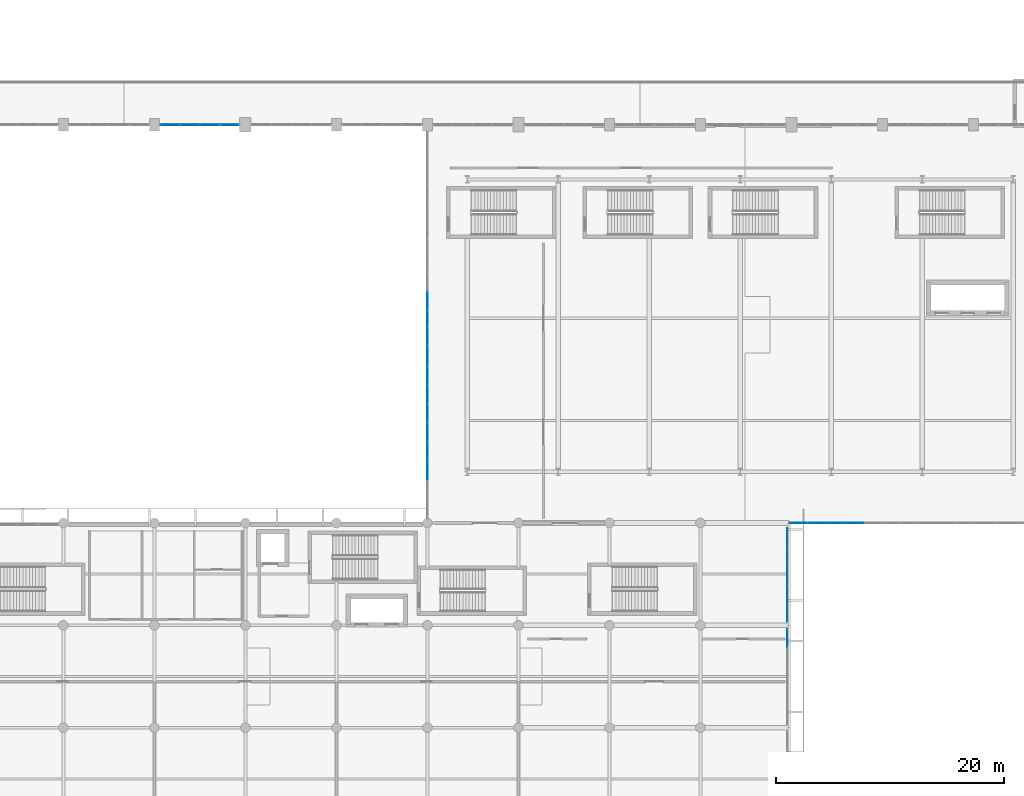
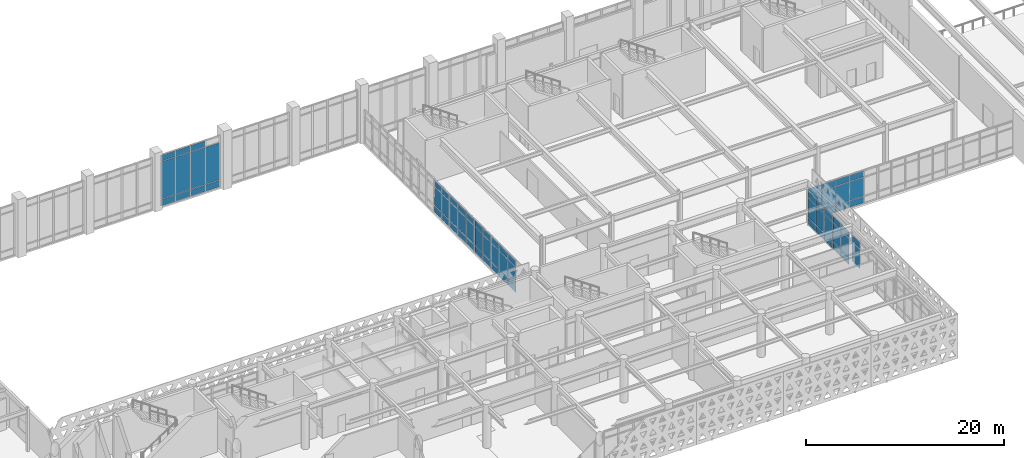
# One storey, part 51 of 84: 70 plates, 7 elements without a shape of their own.
"""IFC4 building model written with IfcOpenShell, lengths in metres."""

from ifc_helpers import new_model, si_unit, direction, frame, origin, origin_2d, place, context, subcontext, project, spatial, rectangle, extrude, material, layer, layer_set, type_object, element, aggregate, save


model = new_model("IFC4")

# Units and contexts
model_context = context("Model", 3, precision=1e-05, world=origin(), true_north=direction((0.0, 1.0)))
body_context = subcontext(model_context, "Body", "Model", "MODEL_VIEW")
ifc_project = project(units=[si_unit("LENGTHUNIT", "METRE"), si_unit("AREAUNIT", "SQUARE_METRE"), si_unit("VOLUMEUNIT", "CUBIC_METRE"), si_unit("PLANEANGLEUNIT", "RADIAN"), si_unit("MASSUNIT", "GRAM", prefix="KILO")], contexts=[model_context])

# Site, building, storey
site_placement = place(None, origin())
site = spatial("IfcSite", under=ifc_project, at=site_placement, CompositionType="ELEMENT")
building_placement = place(site_placement, origin())
building = spatial("IfcBuilding", under=site, at=building_placement, Name="Tlacozan Convention Centre", CompositionType="ELEMENT")
storey_placement = place(building_placement, frame((0.0, 0.0, 6.0)))
storey = spatial("IfcBuildingStorey", under=building, at=storey_placement, Name="L01", CompositionType="ELEMENT", Elevation=6.0)

# Curtain wall, plates
ifc_material_1 = material(Name="Dark Bronze Anodised Aluminium", Category="aluminium")
ifc_layer_1 = layer(ifc_material_1, 0.199951171875)
ifc_layer_set_1 = layer_set([ifc_layer_1], Name="Dark Bronze Anodised Aluminium")
curtain_wall_type_1 = type_object("IfcCurtainWallType", Name="Exhibition Clerestory Curtain Wall CW10", PredefinedType="NOTDEFINED", material=ifc_layer_set_1)
curtain_wall_1_placement = place(storey_placement, origin())
curtain_wall_1 = element("IfcCurtainWall", 1, at=curtain_wall_1_placement, inside=storey, type_object=curtain_wall_type_1, Name="L01 CW-10 Run 17", PredefinedType="NOTDEFINED")
ifc_material_2 = material(Name="Solar Control Double Low-E Argon Glazing", Category="glass")
ifc_layer_2 = layer(ifc_material_2, 0.050048828125)
ifc_layer_set_2 = layer_set([ifc_layer_2], Name="Solar Control Double Low-E Argon Glazing")
plate_type_1 = type_object("IfcPlateType", Name="Clerestory Solar CW Panel 50", PredefinedType="CURTAIN_PANEL", material=ifc_layer_set_2)
plate_1_placement = place(storey_placement, frame((65.361328125, 62.0, 0.074951171875), z_axis=(0.0, 0.0, 1.0), x_axis=(1.0, 0.0, 0.0)))
plate_1 = element("IfcPlate", 2, at=plate_1_placement, type_object=plate_type_1, Name="CW-10 panel 1.1", PredefinedType="CURTAIN_PANEL", context=body_context, shape_type="SweptSolid", body=[
    extrude(rectangle(XDim=1.642578125, YDim=0.050048828125, at=origin_2d()), origin(), (0.0, 0.0, 1.0), 0.78759765625),
])
plate_2_placement = place(storey_placement, frame((65.361328125, 62.0, 0.9375), z_axis=(0.0, 0.0, 1.0), x_axis=(1.0, 0.0, 0.0)))
plate_2 = element("IfcPlate", 3, at=plate_2_placement, type_object=plate_type_1, Name="CW-10 panel 1.2", PredefinedType="CURTAIN_PANEL", context=body_context, shape_type="SweptSolid", body=[
    extrude(rectangle(XDim=1.642578125, YDim=0.050048828125, at=origin_2d()), origin(), (0.0, 0.0, 1.0), 4.574951171875),
])
plate_3_placement = place(storey_placement, frame((65.361328125, 62.0, 5.58740234375), z_axis=(0.0, 0.0, 1.0), x_axis=(1.0, 0.0, 0.0)))
plate_3 = element("IfcPlate", 4, at=plate_3_placement, type_object=plate_type_1, Name="CW-10 panel 1.3", PredefinedType="CURTAIN_PANEL", context=body_context, shape_type="SweptSolid", body=[
    extrude(rectangle(XDim=1.642578125, YDim=0.050048828125, at=origin_2d()), origin(), (0.0, 0.0, 1.0), 0.737548828125),
])
plate_4_placement = place(storey_placement, frame((67.097412109375, 62.0, 0.074951171875), z_axis=(0.0, 0.0, 1.0), x_axis=(1.0, 0.0, 0.0)))
plate_4 = element("IfcPlate", 5, at=plate_4_placement, type_object=plate_type_1, Name="CW-10 panel 2.1", PredefinedType="CURTAIN_PANEL", context=body_context, shape_type="SweptSolid", body=[
    extrude(rectangle(XDim=1.679931640625, YDim=0.050048828125, at=origin_2d()), origin(), (0.0, 0.0, 1.0), 0.78759765625),
])
plate_5_placement = place(storey_placement, frame((67.097412109375, 62.0, 0.9375), z_axis=(0.0, 0.0, 1.0), x_axis=(1.0, 0.0, 0.0)))
plate_5 = element("IfcPlate", 6, at=plate_5_placement, type_object=plate_type_1, Name="CW-10 panel 2.2", PredefinedType="CURTAIN_PANEL", context=body_context, shape_type="SweptSolid", body=[
    extrude(rectangle(XDim=1.679931640625, YDim=0.050048828125, at=origin_2d()), origin(), (0.0, 0.0, 1.0), 4.574951171875),
])
plate_6_placement = place(storey_placement, frame((67.097412109375, 62.0, 5.58740234375), z_axis=(0.0, 0.0, 1.0), x_axis=(1.0, 0.0, 0.0)))
plate_6 = element("IfcPlate", 7, at=plate_6_placement, type_object=plate_type_1, Name="CW-10 panel 2.3", PredefinedType="CURTAIN_PANEL", context=body_context, shape_type="SweptSolid", body=[
    extrude(rectangle(XDim=1.679931640625, YDim=0.050048828125, at=origin_2d()), origin(), (0.0, 0.0, 1.0), 0.737548828125),
])
plate_7_placement = place(storey_placement, frame((68.8525390625, 62.0, 0.074951171875), z_axis=(0.0, 0.0, 1.0), x_axis=(1.0, 0.0, 0.0)))
plate_7 = element("IfcPlate", 8, at=plate_7_placement, type_object=plate_type_1, Name="CW-10 panel 3.1", PredefinedType="CURTAIN_PANEL", context=body_context, shape_type="SweptSolid", body=[
    extrude(rectangle(XDim=1.679931640625, YDim=0.050048828125, at=origin_2d()), origin(), (0.0, 0.0, 1.0), 0.78759765625),
])
plate_8_placement = place(storey_placement, frame((68.8525390625, 62.0, 0.9375), z_axis=(0.0, 0.0, 1.0), x_axis=(1.0, 0.0, 0.0)))
plate_8 = element("IfcPlate", 9, at=plate_8_placement, type_object=plate_type_1, Name="CW-10 panel 3.2", PredefinedType="CURTAIN_PANEL", context=body_context, shape_type="SweptSolid", body=[
    extrude(rectangle(XDim=1.679931640625, YDim=0.050048828125, at=origin_2d()), origin(), (0.0, 0.0, 1.0), 4.574951171875),
])
plate_9_placement = place(storey_placement, frame((68.8525390625, 62.0, 5.58740234375), z_axis=(0.0, 0.0, 1.0), x_axis=(1.0, 0.0, 0.0)))
plate_9 = element("IfcPlate", 10, at=plate_9_placement, type_object=plate_type_1, Name="CW-10 panel 3.3", PredefinedType="CURTAIN_PANEL", context=body_context, shape_type="SweptSolid", body=[
    extrude(rectangle(XDim=1.679931640625, YDim=0.050048828125, at=origin_2d()), origin(), (0.0, 0.0, 1.0), 0.737548828125),
])
plate_10_placement = place(storey_placement, frame((70.5888671875, 62.0, 0.074951171875), z_axis=(0.0, 0.0, 1.0), x_axis=(1.0, 0.0, 0.0)))
plate_10 = element("IfcPlate", 11, at=plate_10_placement, type_object=plate_type_1, Name="CW-10 panel 4.1", PredefinedType="CURTAIN_PANEL", context=body_context, shape_type="SweptSolid", body=[
    extrude(rectangle(XDim=1.642578125, YDim=0.050048828125, at=origin_2d()), origin(), (0.0, 0.0, 1.0), 0.78759765625),
])
plate_11_placement = place(storey_placement, frame((70.5888671875, 62.0, 0.9375), z_axis=(0.0, 0.0, 1.0), x_axis=(1.0, 0.0, 0.0)))
plate_11 = element("IfcPlate", 12, at=plate_11_placement, type_object=plate_type_1, Name="CW-10 panel 4.2", PredefinedType="CURTAIN_PANEL", context=body_context, shape_type="SweptSolid", body=[
    extrude(rectangle(XDim=1.642578125, YDim=0.050048828125, at=origin_2d()), origin(), (0.0, 0.0, 1.0), 4.574951171875),
])
aggregate(curtain_wall_1, [plate_1, plate_2, plate_3, plate_4, plate_5, plate_6, plate_7, plate_8, plate_9, plate_10, plate_11])

ifc_layer_3 = layer(ifc_material_1, 0.199951171875)
ifc_layer_set_3 = layer_set([ifc_layer_3], Name="Dark Bronze Anodised Aluminium")
curtain_wall_type_2 = type_object("IfcCurtainWallType", Name="Unitised Ballroom Cloister L01 CW08", PredefinedType="NOTDEFINED", material=ifc_layer_set_3)
curtain_wall_2_placement = place(storey_placement, origin())
curtain_wall_2 = element("IfcCurtainWall", 13, at=curtain_wall_2_placement, inside=storey, type_object=curtain_wall_type_2, Name="L01 CW-08 Run 155", PredefinedType="NOTDEFINED")
ifc_layer_4 = layer(ifc_material_2, 0.030029296875)
ifc_layer_set_4 = layer_set([ifc_layer_4], Name="Solar Control Double Low-E Argon Glazing")
plate_type_2 = type_object("IfcPlateType", Name="Double Low-E Acoustic CW Panel 30", PredefinedType="CURTAIN_PANEL", material=ifc_layer_set_4)
plate_12_placement = place(storey_placement, frame((88.0, 31.60009765625, 0.074951171875), z_axis=(0.0, 0.0, 1.0), x_axis=(0.0, 1.0, 0.0)))
plate_12 = element("IfcPlate", 14, at=plate_12_placement, type_object=plate_type_2, Name="CW-08 panel 3.1", PredefinedType="CURTAIN_PANEL", context=body_context, shape_type="SweptSolid", body=[
    extrude(rectangle(XDim=1.60498046875, YDim=0.030029296875, at=origin_2d()), origin(), (0.0, 0.0, 1.0), 0.78759765625),
])
plate_13_placement = place(storey_placement, frame((88.0, 31.60009765625, 0.9375), z_axis=(0.0, 0.0, 1.0), x_axis=(0.0, 1.0, 0.0)))
plate_13 = element("IfcPlate", 15, at=plate_13_placement, type_object=plate_type_2, Name="CW-08 panel 3.2", PredefinedType="CURTAIN_PANEL", context=body_context, shape_type="SweptSolid", body=[
    extrude(rectangle(XDim=1.60498046875, YDim=0.030029296875, at=origin_2d()), origin(), (0.0, 0.0, 1.0), 2.27490234375),
])
plate_14_placement = place(storey_placement, frame((88.0, 31.60009765625, 3.28759765625), z_axis=(0.0, 0.0, 1.0), x_axis=(0.0, 1.0, 0.0)))
plate_14 = element("IfcPlate", 16, at=plate_14_placement, type_object=plate_type_2, Name="CW-08 panel 3.3", PredefinedType="CURTAIN_PANEL", context=body_context, shape_type="SweptSolid", body=[
    extrude(rectangle(XDim=1.60498046875, YDim=0.030029296875, at=origin_2d()), origin(), (0.0, 0.0, 1.0), 0.737548828125),
])
plate_15_placement = place(storey_placement, frame((88.0, 33.280029296875, 0.074951171875), z_axis=(0.0, 0.0, 1.0), x_axis=(0.0, 1.0, 0.0)))
plate_15 = element("IfcPlate", 17, at=plate_15_placement, type_object=plate_type_2, Name="CW-08 panel 4.1", PredefinedType="CURTAIN_PANEL", context=body_context, shape_type="SweptSolid", body=[
    extrude(rectangle(XDim=1.60498046875, YDim=0.030029296875, at=origin_2d()), origin(), (0.0, 0.0, 1.0), 0.78759765625),
])
plate_16_placement = place(storey_placement, frame((88.0, 33.280029296875, 0.9375), z_axis=(0.0, 0.0, 1.0), x_axis=(0.0, 1.0, 0.0)))
plate_16 = element("IfcPlate", 18, at=plate_16_placement, type_object=plate_type_2, Name="CW-08 panel 4.2", PredefinedType="CURTAIN_PANEL", context=body_context, shape_type="SweptSolid", body=[
    extrude(rectangle(XDim=1.60498046875, YDim=0.030029296875, at=origin_2d()), origin(), (0.0, 0.0, 1.0), 2.27490234375),
])
plate_17_placement = place(storey_placement, frame((88.0, 33.280029296875, 3.28759765625), z_axis=(0.0, 0.0, 1.0), x_axis=(0.0, 1.0, 0.0)))
plate_17 = element("IfcPlate", 19, at=plate_17_placement, type_object=plate_type_2, Name="CW-08 panel 4.3", PredefinedType="CURTAIN_PANEL", context=body_context, shape_type="SweptSolid", body=[
    extrude(rectangle(XDim=1.60498046875, YDim=0.030029296875, at=origin_2d()), origin(), (0.0, 0.0, 1.0), 0.737548828125),
])
plate_18_placement = place(storey_placement, frame((88.0, 34.941162109375, 0.074951171875), z_axis=(0.0, 0.0, 1.0), x_axis=(0.0, 1.0, 0.0)))
plate_18 = element("IfcPlate", 20, at=plate_18_placement, type_object=plate_type_2, Name="CW-08 panel 5.1", PredefinedType="CURTAIN_PANEL", context=body_context, shape_type="SweptSolid", body=[
    extrude(rectangle(XDim=1.5673828125, YDim=0.030029296875, at=origin_2d()), origin(), (0.0, 0.0, 1.0), 0.78759765625),
])
plate_19_placement = place(storey_placement, frame((88.0, 34.941162109375, 0.9375), z_axis=(0.0, 0.0, 1.0), x_axis=(0.0, 1.0, 0.0)))
plate_19 = element("IfcPlate", 21, at=plate_19_placement, type_object=plate_type_2, Name="CW-08 panel 5.2", PredefinedType="CURTAIN_PANEL", context=body_context, shape_type="SweptSolid", body=[
    extrude(rectangle(XDim=1.5673828125, YDim=0.030029296875, at=origin_2d()), origin(), (0.0, 0.0, 1.0), 2.27490234375),
])
plate_20_placement = place(storey_placement, frame((88.0, 34.941162109375, 3.28759765625), z_axis=(0.0, 0.0, 1.0), x_axis=(0.0, 1.0, 0.0)))
plate_20 = element("IfcPlate", 22, at=plate_20_placement, type_object=plate_type_2, Name="CW-08 panel 5.3", PredefinedType="CURTAIN_PANEL", context=body_context, shape_type="SweptSolid", body=[
    extrude(rectangle(XDim=1.5673828125, YDim=0.030029296875, at=origin_2d()), origin(), (0.0, 0.0, 1.0), 0.737548828125),
])
aggregate(curtain_wall_2, [plate_12, plate_13, plate_14, plate_15, plate_16, plate_17, plate_18, plate_19, plate_20])

curtain_wall_3_placement = place(storey_placement, origin())
curtain_wall_3 = element("IfcCurtainWall", 23, at=curtain_wall_3_placement, inside=storey, type_object=curtain_wall_type_2, Name="L01 CW-08 Run 157", PredefinedType="NOTDEFINED")
plate_21_placement = place(storey_placement, frame((88.0, 36.65869140625, 0.074951171875), z_axis=(0.0, 0.0, 1.0), x_axis=(0.0, 1.0, 0.0)))
plate_21 = element("IfcPlate", 24, at=plate_21_placement, type_object=plate_type_2, Name="CW-08 panel 1.1", PredefinedType="CURTAIN_PANEL", context=body_context, shape_type="SweptSolid", body=[
    extrude(rectangle(XDim=1.5673828125, YDim=0.030029296875, at=origin_2d()), origin(), (0.0, 0.0, 1.0), 0.78759765625),
])
plate_22_placement = place(storey_placement, frame((88.0, 36.65869140625, 0.9375), z_axis=(0.0, 0.0, 1.0), x_axis=(0.0, 1.0, 0.0)))
plate_22 = element("IfcPlate", 25, at=plate_22_placement, type_object=plate_type_2, Name="CW-08 panel 1.2", PredefinedType="CURTAIN_PANEL", context=body_context, shape_type="SweptSolid", body=[
    extrude(rectangle(XDim=1.5673828125, YDim=0.030029296875, at=origin_2d()), origin(), (0.0, 0.0, 1.0), 2.27490234375),
])
plate_23_placement = place(storey_placement, frame((88.0, 36.65869140625, 3.28759765625), z_axis=(0.0, 0.0, 1.0), x_axis=(0.0, 1.0, 0.0)))
plate_23 = element("IfcPlate", 26, at=plate_23_placement, type_object=plate_type_2, Name="CW-08 panel 1.3", PredefinedType="CURTAIN_PANEL", context=body_context, shape_type="SweptSolid", body=[
    extrude(rectangle(XDim=1.5673828125, YDim=0.030029296875, at=origin_2d()), origin(), (0.0, 0.0, 1.0), 0.737548828125),
])
plate_24_placement = place(storey_placement, frame((88.0, 38.320068359375, 0.074951171875), z_axis=(0.0, 0.0, 1.0), x_axis=(0.0, 1.0, 0.0)))
plate_24 = element("IfcPlate", 27, at=plate_24_placement, type_object=plate_type_2, Name="CW-08 panel 2.1", PredefinedType="CURTAIN_PANEL", context=body_context, shape_type="SweptSolid", body=[
    extrude(rectangle(XDim=1.60498046875, YDim=0.030029296875, at=origin_2d()), origin(), (0.0, 0.0, 1.0), 0.78759765625),
])
plate_25_placement = place(storey_placement, frame((88.0, 38.320068359375, 0.9375), z_axis=(0.0, 0.0, 1.0), x_axis=(0.0, 1.0, 0.0)))
plate_25 = element("IfcPlate", 28, at=plate_25_placement, type_object=plate_type_2, Name="CW-08 panel 2.2", PredefinedType="CURTAIN_PANEL", context=body_context, shape_type="SweptSolid", body=[
    extrude(rectangle(XDim=1.60498046875, YDim=0.030029296875, at=origin_2d()), origin(), (0.0, 0.0, 1.0), 2.27490234375),
])
plate_26_placement = place(storey_placement, frame((88.0, 38.320068359375, 3.28759765625), z_axis=(0.0, 0.0, 1.0), x_axis=(0.0, 1.0, 0.0)))
plate_26 = element("IfcPlate", 29, at=plate_26_placement, type_object=plate_type_2, Name="CW-08 panel 2.3", PredefinedType="CURTAIN_PANEL", context=body_context, shape_type="SweptSolid", body=[
    extrude(rectangle(XDim=1.60498046875, YDim=0.030029296875, at=origin_2d()), origin(), (0.0, 0.0, 1.0), 0.737548828125),
])
plate_27_placement = place(storey_placement, frame((88.0, 40.0, 0.074951171875), z_axis=(0.0, 0.0, 1.0), x_axis=(0.0, 1.0, 0.0)))
plate_27 = element("IfcPlate", 30, at=plate_27_placement, type_object=plate_type_2, Name="CW-08 panel 3.1", PredefinedType="CURTAIN_PANEL", context=body_context, shape_type="SweptSolid", body=[
    extrude(rectangle(XDim=1.60498046875, YDim=0.030029296875, at=origin_2d()), origin(), (0.0, 0.0, 1.0), 0.78759765625),
])
plate_28_placement = place(storey_placement, frame((88.0, 40.0, 0.9375), z_axis=(0.0, 0.0, 1.0), x_axis=(0.0, 1.0, 0.0)))
plate_28 = element("IfcPlate", 31, at=plate_28_placement, type_object=plate_type_2, Name="CW-08 panel 3.2", PredefinedType="CURTAIN_PANEL", context=body_context, shape_type="SweptSolid", body=[
    extrude(rectangle(XDim=1.60498046875, YDim=0.030029296875, at=origin_2d()), origin(), (0.0, 0.0, 1.0), 2.27490234375),
])
plate_29_placement = place(storey_placement, frame((88.0, 40.0, 3.28759765625), z_axis=(0.0, 0.0, 1.0), x_axis=(0.0, 1.0, 0.0)))
plate_29 = element("IfcPlate", 32, at=plate_29_placement, type_object=plate_type_2, Name="CW-08 panel 3.3", PredefinedType="CURTAIN_PANEL", context=body_context, shape_type="SweptSolid", body=[
    extrude(rectangle(XDim=1.60498046875, YDim=0.030029296875, at=origin_2d()), origin(), (0.0, 0.0, 1.0), 0.737548828125),
])
plate_30_placement = place(storey_placement, frame((88.0, 41.679931640625, 0.074951171875), z_axis=(0.0, 0.0, 1.0), x_axis=(0.0, 1.0, 0.0)))
plate_30 = element("IfcPlate", 33, at=plate_30_placement, type_object=plate_type_2, Name="CW-08 panel 4.1", PredefinedType="CURTAIN_PANEL", context=body_context, shape_type="SweptSolid", body=[
    extrude(rectangle(XDim=1.60498046875, YDim=0.030029296875, at=origin_2d()), origin(), (0.0, 0.0, 1.0), 0.78759765625),
])
plate_31_placement = place(storey_placement, frame((88.0, 41.679931640625, 0.9375), z_axis=(0.0, 0.0, 1.0), x_axis=(0.0, 1.0, 0.0)))
plate_31 = element("IfcPlate", 34, at=plate_31_placement, type_object=plate_type_2, Name="CW-08 panel 4.2", PredefinedType="CURTAIN_PANEL", context=body_context, shape_type="SweptSolid", body=[
    extrude(rectangle(XDim=1.60498046875, YDim=0.030029296875, at=origin_2d()), origin(), (0.0, 0.0, 1.0), 2.27490234375),
])
plate_32_placement = place(storey_placement, frame((88.0, 41.679931640625, 3.28759765625), z_axis=(0.0, 0.0, 1.0), x_axis=(0.0, 1.0, 0.0)))
plate_32 = element("IfcPlate", 35, at=plate_32_placement, type_object=plate_type_2, Name="CW-08 panel 4.3", PredefinedType="CURTAIN_PANEL", context=body_context, shape_type="SweptSolid", body=[
    extrude(rectangle(XDim=1.60498046875, YDim=0.030029296875, at=origin_2d()), origin(), (0.0, 0.0, 1.0), 0.737548828125),
])
plate_33_placement = place(storey_placement, frame((88.0, 43.34130859375, 0.074951171875), z_axis=(0.0, 0.0, 1.0), x_axis=(0.0, 1.0, 0.0)))
plate_33 = element("IfcPlate", 36, at=plate_33_placement, type_object=plate_type_2, Name="CW-08 panel 5.1", PredefinedType="CURTAIN_PANEL", context=body_context, shape_type="SweptSolid", body=[
    extrude(rectangle(XDim=1.5673828125, YDim=0.030029296875, at=origin_2d()), origin(), (0.0, 0.0, 1.0), 0.78759765625),
])
plate_34_placement = place(storey_placement, frame((88.0, 43.34130859375, 0.9375), z_axis=(0.0, 0.0, 1.0), x_axis=(0.0, 1.0, 0.0)))
plate_34 = element("IfcPlate", 37, at=plate_34_placement, type_object=plate_type_2, Name="CW-08 panel 5.2", PredefinedType="CURTAIN_PANEL", context=body_context, shape_type="SweptSolid", body=[
    extrude(rectangle(XDim=1.5673828125, YDim=0.030029296875, at=origin_2d()), origin(), (0.0, 0.0, 1.0), 2.27490234375),
])
plate_35_placement = place(storey_placement, frame((88.0, 43.34130859375, 3.28759765625), z_axis=(0.0, 0.0, 1.0), x_axis=(0.0, 1.0, 0.0)))
plate_35 = element("IfcPlate", 38, at=plate_35_placement, type_object=plate_type_2, Name="CW-08 panel 5.3", PredefinedType="CURTAIN_PANEL", context=body_context, shape_type="SweptSolid", body=[
    extrude(rectangle(XDim=1.5673828125, YDim=0.030029296875, at=origin_2d()), origin(), (0.0, 0.0, 1.0), 0.737548828125),
])
aggregate(curtain_wall_3, [plate_21, plate_22, plate_23, plate_24, plate_25, plate_26, plate_27, plate_28, plate_29, plate_30, plate_31, plate_32, plate_33, plate_34, plate_35])

curtain_wall_4_placement = place(storey_placement, origin())
curtain_wall_4 = element("IfcCurtainWall", 39, at=curtain_wall_4_placement, inside=storey, type_object=curtain_wall_type_2, Name="L01 CW-08 Run 160", PredefinedType="NOTDEFINED")
plate_36_placement = place(storey_placement, frame((88.0, 44.998779296875, 0.074951171875), z_axis=(0.0, 0.0, 1.0), x_axis=(0.0, 1.0, 0.0)))
plate_36 = element("IfcPlate", 40, at=plate_36_placement, type_object=plate_type_2, Name="CW-08 panel 1.1", PredefinedType="CURTAIN_PANEL", context=body_context, shape_type="SweptSolid", body=[
    extrude(rectangle(XDim=1.447509765625, YDim=0.030029296875, at=origin_2d()), origin(), (0.0, 0.0, 1.0), 0.78759765625),
])
plate_37_placement = place(storey_placement, frame((88.0, 44.998779296875, 0.9375), z_axis=(0.0, 0.0, 1.0), x_axis=(0.0, 1.0, 0.0)))
plate_37 = element("IfcPlate", 41, at=plate_37_placement, type_object=plate_type_2, Name="CW-08 panel 1.2", PredefinedType="CURTAIN_PANEL", context=body_context, shape_type="SweptSolid", body=[
    extrude(rectangle(XDim=1.447509765625, YDim=0.030029296875, at=origin_2d()), origin(), (0.0, 0.0, 1.0), 2.27490234375),
])
plate_38_placement = place(storey_placement, frame((88.0, 44.998779296875, 3.28759765625), z_axis=(0.0, 0.0, 1.0), x_axis=(0.0, 1.0, 0.0)))
plate_38 = element("IfcPlate", 42, at=plate_38_placement, type_object=plate_type_2, Name="CW-08 panel 1.3", PredefinedType="CURTAIN_PANEL", context=body_context, shape_type="SweptSolid", body=[
    extrude(rectangle(XDim=1.447509765625, YDim=0.030029296875, at=origin_2d()), origin(), (0.0, 0.0, 1.0), 0.737548828125),
])
plate_39_placement = place(storey_placement, frame((88.0, 46.5400390625, 0.074951171875), z_axis=(0.0, 0.0, 1.0), x_axis=(0.0, 1.0, 0.0)))
plate_39 = element("IfcPlate", 43, at=plate_39_placement, type_object=plate_type_2, Name="CW-08 panel 2.1", PredefinedType="CURTAIN_PANEL", context=body_context, shape_type="SweptSolid", body=[
    extrude(rectangle(XDim=1.485107421875, YDim=0.030029296875, at=origin_2d()), origin(), (0.0, 0.0, 1.0), 0.78759765625),
])
plate_40_placement = place(storey_placement, frame((88.0, 46.5400390625, 0.9375), z_axis=(0.0, 0.0, 1.0), x_axis=(0.0, 1.0, 0.0)))
plate_40 = element("IfcPlate", 44, at=plate_40_placement, type_object=plate_type_2, Name="CW-08 panel 2.2", PredefinedType="CURTAIN_PANEL", context=body_context, shape_type="SweptSolid", body=[
    extrude(rectangle(XDim=1.485107421875, YDim=0.030029296875, at=origin_2d()), origin(), (0.0, 0.0, 1.0), 2.27490234375),
])
plate_41_placement = place(storey_placement, frame((88.0, 46.5400390625, 3.28759765625), z_axis=(0.0, 0.0, 1.0), x_axis=(0.0, 1.0, 0.0)))
plate_41 = element("IfcPlate", 45, at=plate_41_placement, type_object=plate_type_2, Name="CW-08 panel 2.3", PredefinedType="CURTAIN_PANEL", context=body_context, shape_type="SweptSolid", body=[
    extrude(rectangle(XDim=1.485107421875, YDim=0.030029296875, at=origin_2d()), origin(), (0.0, 0.0, 1.0), 0.737548828125),
])
aggregate(curtain_wall_4, [plate_36, plate_37, plate_38, plate_39, plate_40, plate_41])

curtain_wall_5_placement = place(storey_placement, origin())
curtain_wall_5 = element("IfcCurtainWall", 46, at=curtain_wall_5_placement, inside=storey, type_object=curtain_wall_type_2, Name="L01 CW-08 Run 165", PredefinedType="NOTDEFINED")
plate_42_placement = place(storey_placement, frame((120.63623046875, 27.0, 0.06494140625), z_axis=(0.0, 0.0, 1.0), x_axis=(1.0, 0.0, 0.0)))
plate_42 = element("IfcPlate", 47, at=plate_42_placement, type_object=plate_type_2, Name="CW-08 panel 1.1", PredefinedType="CURTAIN_PANEL", context=body_context, shape_type="SweptSolid", body=[
    extrude(rectangle(XDim=1.54248046875, YDim=0.030029296875, at=origin_2d()), origin(), (0.0, 0.0, 1.0), 0.802490234375),
])
plate_43_placement = place(storey_placement, frame((120.63623046875, 27.0, 0.9326171875), z_axis=(0.0, 0.0, 1.0), x_axis=(1.0, 0.0, 0.0)))
plate_43 = element("IfcPlate", 48, at=plate_43_placement, type_object=plate_type_2, Name="CW-08 panel 1.2", PredefinedType="CURTAIN_PANEL", context=body_context, shape_type="SweptSolid", body=[
    extrude(rectangle(XDim=1.54248046875, YDim=0.030029296875, at=origin_2d()), origin(), (0.0, 0.0, 1.0), 2.284912109375),
])
plate_44_placement = place(storey_placement, frame((120.63623046875, 27.0, 3.282470703125), z_axis=(0.0, 0.0, 1.0), x_axis=(1.0, 0.0, 0.0)))
plate_44 = element("IfcPlate", 49, at=plate_44_placement, type_object=plate_type_2, Name="CW-08 panel 1.3", PredefinedType="CURTAIN_PANEL", context=body_context, shape_type="SweptSolid", body=[
    extrude(rectangle(XDim=1.54248046875, YDim=0.030029296875, at=origin_2d()), origin(), (0.0, 0.0, 1.0), 0.75244140625),
])
plate_45_placement = place(storey_placement, frame((122.260009765625, 27.0, 0.06494140625), z_axis=(0.0, 0.0, 1.0), x_axis=(1.0, 0.0, 0.0)))
plate_45 = element("IfcPlate", 50, at=plate_45_placement, type_object=plate_type_2, Name="CW-08 panel 2.1", PredefinedType="CURTAIN_PANEL", context=body_context, shape_type="SweptSolid", body=[
    extrude(rectangle(XDim=1.574951171875, YDim=0.030029296875, at=origin_2d()), origin(), (0.0, 0.0, 1.0), 0.802490234375),
])
plate_46_placement = place(storey_placement, frame((122.260009765625, 27.0, 0.9326171875), z_axis=(0.0, 0.0, 1.0), x_axis=(1.0, 0.0, 0.0)))
plate_46 = element("IfcPlate", 51, at=plate_46_placement, type_object=plate_type_2, Name="CW-08 panel 2.2", PredefinedType="CURTAIN_PANEL", context=body_context, shape_type="SweptSolid", body=[
    extrude(rectangle(XDim=1.574951171875, YDim=0.030029296875, at=origin_2d()), origin(), (0.0, 0.0, 1.0), 2.284912109375),
])
plate_47_placement = place(storey_placement, frame((122.260009765625, 27.0, 3.282470703125), z_axis=(0.0, 0.0, 1.0), x_axis=(1.0, 0.0, 0.0)))
plate_47 = element("IfcPlate", 52, at=plate_47_placement, type_object=plate_type_2, Name="CW-08 panel 2.3", PredefinedType="CURTAIN_PANEL", context=body_context, shape_type="SweptSolid", body=[
    extrude(rectangle(XDim=1.574951171875, YDim=0.030029296875, at=origin_2d()), origin(), (0.0, 0.0, 1.0), 0.75244140625),
])
plate_48_placement = place(storey_placement, frame((123.89990234375, 27.0, 0.06494140625), z_axis=(0.0, 0.0, 1.0), x_axis=(1.0, 0.0, 0.0)))
plate_48 = element("IfcPlate", 53, at=plate_48_placement, type_object=plate_type_2, Name="CW-08 panel 3.1", PredefinedType="CURTAIN_PANEL", context=body_context, shape_type="SweptSolid", body=[
    extrude(rectangle(XDim=1.574951171875, YDim=0.030029296875, at=origin_2d()), origin(), (0.0, 0.0, 1.0), 0.802490234375),
])
plate_49_placement = place(storey_placement, frame((123.89990234375, 27.0, 0.9326171875), z_axis=(0.0, 0.0, 1.0), x_axis=(1.0, 0.0, 0.0)))
plate_49 = element("IfcPlate", 54, at=plate_49_placement, type_object=plate_type_2, Name="CW-08 panel 3.2", PredefinedType="CURTAIN_PANEL", context=body_context, shape_type="SweptSolid", body=[
    extrude(rectangle(XDim=1.574951171875, YDim=0.030029296875, at=origin_2d()), origin(), (0.0, 0.0, 1.0), 2.284912109375),
])
plate_50_placement = place(storey_placement, frame((123.89990234375, 27.0, 3.282470703125), z_axis=(0.0, 0.0, 1.0), x_axis=(1.0, 0.0, 0.0)))
plate_50 = element("IfcPlate", 55, at=plate_50_placement, type_object=plate_type_2, Name="CW-08 panel 3.3", PredefinedType="CURTAIN_PANEL", context=body_context, shape_type="SweptSolid", body=[
    extrude(rectangle(XDim=1.574951171875, YDim=0.030029296875, at=origin_2d()), origin(), (0.0, 0.0, 1.0), 0.75244140625),
])
plate_51_placement = place(storey_placement, frame((125.5400390625, 27.0, 0.06494140625), z_axis=(0.0, 0.0, 1.0), x_axis=(1.0, 0.0, 0.0)))
plate_51 = element("IfcPlate", 56, at=plate_51_placement, type_object=plate_type_2, Name="CW-08 panel 4.1", PredefinedType="CURTAIN_PANEL", context=body_context, shape_type="SweptSolid", body=[
    extrude(rectangle(XDim=1.574951171875, YDim=0.030029296875, at=origin_2d()), origin(), (0.0, 0.0, 1.0), 0.802490234375),
])
plate_52_placement = place(storey_placement, frame((125.5400390625, 27.0, 0.9326171875), z_axis=(0.0, 0.0, 1.0), x_axis=(1.0, 0.0, 0.0)))
plate_52 = element("IfcPlate", 57, at=plate_52_placement, type_object=plate_type_2, Name="CW-08 panel 4.2", PredefinedType="CURTAIN_PANEL", context=body_context, shape_type="SweptSolid", body=[
    extrude(rectangle(XDim=1.574951171875, YDim=0.030029296875, at=origin_2d()), origin(), (0.0, 0.0, 1.0), 2.284912109375),
])
plate_53_placement = place(storey_placement, frame((125.5400390625, 27.0, 3.282470703125), z_axis=(0.0, 0.0, 1.0), x_axis=(1.0, 0.0, 0.0)))
plate_53 = element("IfcPlate", 58, at=plate_53_placement, type_object=plate_type_2, Name="CW-08 panel 4.3", PredefinedType="CURTAIN_PANEL", context=body_context, shape_type="SweptSolid", body=[
    extrude(rectangle(XDim=1.574951171875, YDim=0.030029296875, at=origin_2d()), origin(), (0.0, 0.0, 1.0), 0.75244140625),
])
aggregate(curtain_wall_5, [plate_42, plate_43, plate_44, plate_45, plate_46, plate_47, plate_48, plate_49, plate_50, plate_51, plate_52, plate_53])

ifc_layer_5 = layer(ifc_material_1, 0.159912109375)
ifc_layer_set_5 = layer_set([ifc_layer_5], Name="Dark Bronze Anodised Aluminium")
curtain_wall_type_3 = type_object("IfcCurtainWallType", Name="Unitised Congress Gable End CW06", PredefinedType="NOTDEFINED", material=ifc_layer_set_5)
curtain_wall_6_placement = place(storey_placement, origin())
curtain_wall_6 = element("IfcCurtainWall", 59, at=curtain_wall_6_placement, inside=storey, type_object=curtain_wall_type_3, Name="L01 CW-06 Run 75", PredefinedType="NOTDEFINED")
ifc_layer_6 = layer(ifc_material_2, 0.02001953125)
ifc_layer_set_6 = layer_set([ifc_layer_6], Name="Solar Control Double Low-E Argon Glazing")
plate_type_3 = type_object("IfcPlateType", Name="Double Low-E Glazed CW Panel 20", PredefinedType="CURTAIN_PANEL", material=ifc_layer_set_6)
plate_54_placement = place(storey_placement, frame((119.639892578125, 16.885009765625, 0.929931640625), z_axis=(0.0, 0.0, 1.0), x_axis=(0.0, 1.0, 0.0)))
plate_54 = element("IfcPlate", 60, at=plate_54_placement, type_object=plate_type_3, Name="CW-06 panel 5.2", PredefinedType="CURTAIN_PANEL", context=body_context, shape_type="SweptSolid", body=[
    extrude(rectangle(XDim=1.610107421875, YDim=0.02001953125, at=origin_2d()), origin(), (0.0, 0.0, 1.0), 2.3701171875),
])
plate_55_placement = place(storey_placement, frame((119.639892578125, 16.885009765625, 3.35986328125), z_axis=(0.0, 0.0, 1.0), x_axis=(0.0, 1.0, 0.0)))
plate_55 = element("IfcPlate", 61, at=plate_55_placement, type_object=plate_type_3, Name="CW-06 panel 5.3", PredefinedType="CURTAIN_PANEL", context=body_context, shape_type="SweptSolid", body=[
    extrude(rectangle(XDim=1.610107421875, YDim=0.02001953125, at=origin_2d()), origin(), (0.0, 0.0, 1.0), 0.760009765625),
])
aggregate(curtain_wall_6, [plate_54, plate_55])

curtain_wall_7_placement = place(storey_placement, origin())
curtain_wall_7 = element("IfcCurtainWall", 62, at=curtain_wall_7_placement, inside=storey, type_object=curtain_wall_type_3, Name="L01 CW-06 Run 77", PredefinedType="NOTDEFINED")
plate_56_placement = place(storey_placement, frame((119.639892578125, 19.09912109375, 0.06005859375), z_axis=(0.0, 0.0, 1.0), x_axis=(0.0, 1.0, 0.0)))
plate_56 = element("IfcPlate", 63, at=plate_56_placement, type_object=plate_type_3, Name="CW-06 panel 1.1", PredefinedType="CURTAIN_PANEL", context=body_context, shape_type="SweptSolid", body=[
    extrude(rectangle(XDim=1.577880859375, YDim=0.02001953125, at=origin_2d()), origin(), (0.0, 0.0, 1.0), 0.81005859375),
])
plate_57_placement = place(storey_placement, frame((119.639892578125, 19.09912109375, 0.929931640625), z_axis=(0.0, 0.0, 1.0), x_axis=(0.0, 1.0, 0.0)))
plate_57 = element("IfcPlate", 64, at=plate_57_placement, type_object=plate_type_3, Name="CW-06 panel 1.2", PredefinedType="CURTAIN_PANEL", context=body_context, shape_type="SweptSolid", body=[
    extrude(rectangle(XDim=1.577880859375, YDim=0.02001953125, at=origin_2d()), origin(), (0.0, 0.0, 1.0), 2.3701171875),
])
plate_58_placement = place(storey_placement, frame((119.639892578125, 19.09912109375, 3.35986328125), z_axis=(0.0, 0.0, 1.0), x_axis=(0.0, 1.0, 0.0)))
plate_58 = element("IfcPlate", 65, at=plate_58_placement, type_object=plate_type_3, Name="CW-06 panel 1.3", PredefinedType="CURTAIN_PANEL", context=body_context, shape_type="SweptSolid", body=[
    extrude(rectangle(XDim=1.577880859375, YDim=0.02001953125, at=origin_2d()), origin(), (0.0, 0.0, 1.0), 0.760009765625),
])
plate_59_placement = place(storey_placement, frame((119.639892578125, 20.751953125, 0.06005859375), z_axis=(0.0, 0.0, 1.0), x_axis=(0.0, 1.0, 0.0)))
plate_59 = element("IfcPlate", 66, at=plate_59_placement, type_object=plate_type_3, Name="CW-06 panel 2.1", PredefinedType="CURTAIN_PANEL", context=body_context, shape_type="SweptSolid", body=[
    extrude(rectangle(XDim=1.60791015625, YDim=0.02001953125, at=origin_2d()), origin(), (0.0, 0.0, 1.0), 0.81005859375),
])
plate_60_placement = place(storey_placement, frame((119.639892578125, 20.751953125, 0.929931640625), z_axis=(0.0, 0.0, 1.0), x_axis=(0.0, 1.0, 0.0)))
plate_60 = element("IfcPlate", 67, at=plate_60_placement, type_object=plate_type_3, Name="CW-06 panel 2.2", PredefinedType="CURTAIN_PANEL", context=body_context, shape_type="SweptSolid", body=[
    extrude(rectangle(XDim=1.60791015625, YDim=0.02001953125, at=origin_2d()), origin(), (0.0, 0.0, 1.0), 2.3701171875),
])
plate_61_placement = place(storey_placement, frame((119.639892578125, 20.751953125, 3.35986328125), z_axis=(0.0, 0.0, 1.0), x_axis=(0.0, 1.0, 0.0)))
plate_61 = element("IfcPlate", 68, at=plate_61_placement, type_object=plate_type_3, Name="CW-06 panel 2.3", PredefinedType="CURTAIN_PANEL", context=body_context, shape_type="SweptSolid", body=[
    extrude(rectangle(XDim=1.60791015625, YDim=0.02001953125, at=origin_2d()), origin(), (0.0, 0.0, 1.0), 0.760009765625),
])
plate_62_placement = place(storey_placement, frame((119.639892578125, 22.419921875, 0.06005859375), z_axis=(0.0, 0.0, 1.0), x_axis=(0.0, 1.0, 0.0)))
plate_62 = element("IfcPlate", 69, at=plate_62_placement, type_object=plate_type_3, Name="CW-06 panel 3.1", PredefinedType="CURTAIN_PANEL", context=body_context, shape_type="SweptSolid", body=[
    extrude(rectangle(XDim=1.60791015625, YDim=0.02001953125, at=origin_2d()), origin(), (0.0, 0.0, 1.0), 0.81005859375),
])
plate_63_placement = place(storey_placement, frame((119.639892578125, 22.419921875, 0.929931640625), z_axis=(0.0, 0.0, 1.0), x_axis=(0.0, 1.0, 0.0)))
plate_63 = element("IfcPlate", 70, at=plate_63_placement, type_object=plate_type_3, Name="CW-06 panel 3.2", PredefinedType="CURTAIN_PANEL", context=body_context, shape_type="SweptSolid", body=[
    extrude(rectangle(XDim=1.60791015625, YDim=0.02001953125, at=origin_2d()), origin(), (0.0, 0.0, 1.0), 2.3701171875),
])
plate_64_placement = place(storey_placement, frame((119.639892578125, 22.419921875, 3.35986328125), z_axis=(0.0, 0.0, 1.0), x_axis=(0.0, 1.0, 0.0)))
plate_64 = element("IfcPlate", 71, at=plate_64_placement, type_object=plate_type_3, Name="CW-06 panel 3.3", PredefinedType="CURTAIN_PANEL", context=body_context, shape_type="SweptSolid", body=[
    extrude(rectangle(XDim=1.60791015625, YDim=0.02001953125, at=origin_2d()), origin(), (0.0, 0.0, 1.0), 0.760009765625),
])
plate_65_placement = place(storey_placement, frame((119.639892578125, 24.087890625, 0.06005859375), z_axis=(0.0, 0.0, 1.0), x_axis=(0.0, 1.0, 0.0)))
plate_65 = element("IfcPlate", 72, at=plate_65_placement, type_object=plate_type_3, Name="CW-06 panel 4.1", PredefinedType="CURTAIN_PANEL", context=body_context, shape_type="SweptSolid", body=[
    extrude(rectangle(XDim=1.60791015625, YDim=0.02001953125, at=origin_2d()), origin(), (0.0, 0.0, 1.0), 0.81005859375),
])
plate_66_placement = place(storey_placement, frame((119.639892578125, 24.087890625, 0.929931640625), z_axis=(0.0, 0.0, 1.0), x_axis=(0.0, 1.0, 0.0)))
plate_66 = element("IfcPlate", 73, at=plate_66_placement, type_object=plate_type_3, Name="CW-06 panel 4.2", PredefinedType="CURTAIN_PANEL", context=body_context, shape_type="SweptSolid", body=[
    extrude(rectangle(XDim=1.60791015625, YDim=0.02001953125, at=origin_2d()), origin(), (0.0, 0.0, 1.0), 2.3701171875),
])
plate_67_placement = place(storey_placement, frame((119.639892578125, 24.087890625, 3.35986328125), z_axis=(0.0, 0.0, 1.0), x_axis=(0.0, 1.0, 0.0)))
plate_67 = element("IfcPlate", 74, at=plate_67_placement, type_object=plate_type_3, Name="CW-06 panel 4.3", PredefinedType="CURTAIN_PANEL", context=body_context, shape_type="SweptSolid", body=[
    extrude(rectangle(XDim=1.60791015625, YDim=0.02001953125, at=origin_2d()), origin(), (0.0, 0.0, 1.0), 0.760009765625),
])
plate_68_placement = place(storey_placement, frame((119.639892578125, 25.740966796875, 0.06005859375), z_axis=(0.0, 0.0, 1.0), x_axis=(0.0, 1.0, 0.0)))
plate_68 = element("IfcPlate", 75, at=plate_68_placement, type_object=plate_type_3, Name="CW-06 panel 5.1", PredefinedType="CURTAIN_PANEL", context=body_context, shape_type="SweptSolid", body=[
    extrude(rectangle(XDim=1.577880859375, YDim=0.02001953125, at=origin_2d()), origin(), (0.0, 0.0, 1.0), 0.81005859375),
])
plate_69_placement = place(storey_placement, frame((119.639892578125, 25.740966796875, 0.929931640625), z_axis=(0.0, 0.0, 1.0), x_axis=(0.0, 1.0, 0.0)))
plate_69 = element("IfcPlate", 76, at=plate_69_placement, type_object=plate_type_3, Name="CW-06 panel 5.2", PredefinedType="CURTAIN_PANEL", context=body_context, shape_type="SweptSolid", body=[
    extrude(rectangle(XDim=1.577880859375, YDim=0.02001953125, at=origin_2d()), origin(), (0.0, 0.0, 1.0), 2.3701171875),
])
plate_70_placement = place(storey_placement, frame((119.639892578125, 25.740966796875, 3.35986328125), z_axis=(0.0, 0.0, 1.0), x_axis=(0.0, 1.0, 0.0)))
plate_70 = element("IfcPlate", 77, at=plate_70_placement, type_object=plate_type_3, Name="CW-06 panel 5.3", PredefinedType="CURTAIN_PANEL", context=body_context, shape_type="SweptSolid", body=[
    extrude(rectangle(XDim=1.577880859375, YDim=0.02001953125, at=origin_2d()), origin(), (0.0, 0.0, 1.0), 0.760009765625),
])
aggregate(curtain_wall_7, [plate_56, plate_57, plate_58, plate_59, plate_60, plate_61, plate_62, plate_63, plate_64, plate_65, plate_66, plate_67, plate_68, plate_69, plate_70])

save(model, "model.ifc")
